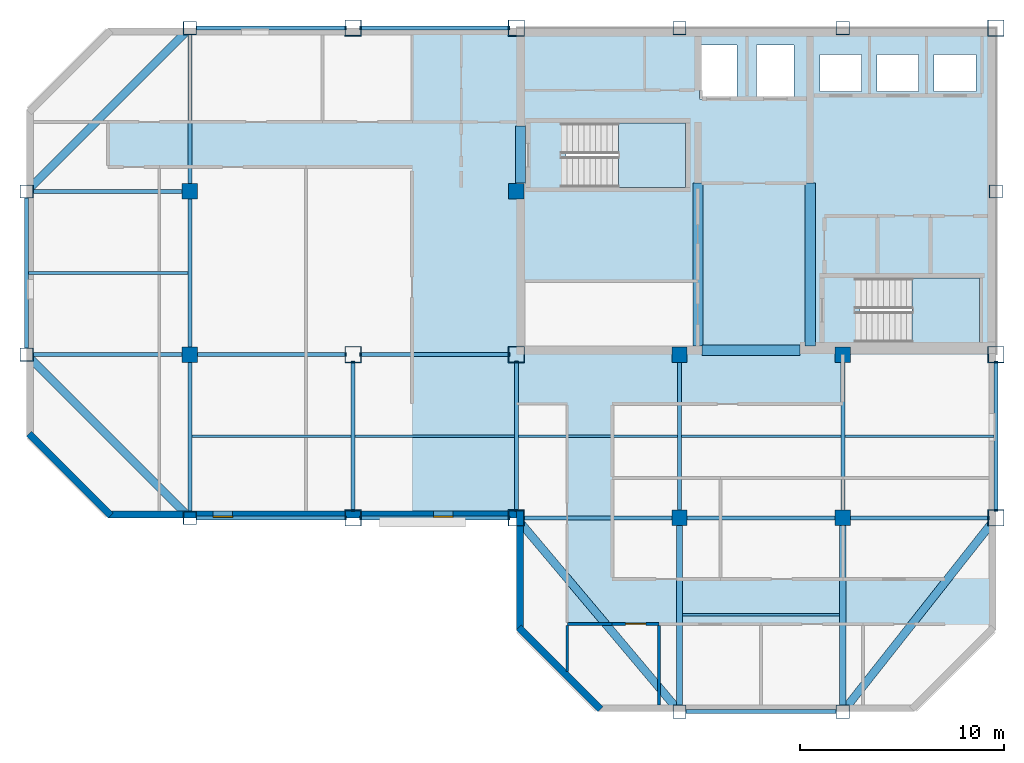
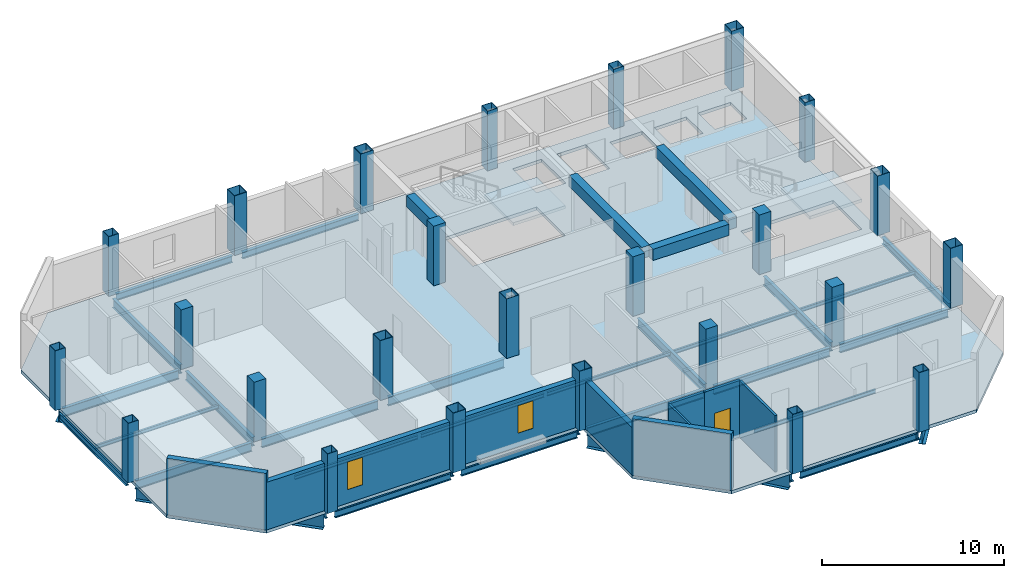
# One storey, part 1 of 7: 38 beams, 25 columns, 8 walls, 3 slabs, 2 windows, 1 door, 3 openings, 2 elements without a shape of their own.
"""IFC4 building model written with IfcOpenShell, lengths in metres."""

from ifc_helpers import new_model, si_unit, direction, frame, frame_2d, origin, origin_2d, place, context, subcontext, project, spatial, polyline, rectangle, hollow_rectangle, i_section, outline, extrude, material, layer, layer_set, material_profile, profile_set, type_object, element, fill, aggregate, save


model = new_model("IFC4")

# Units and contexts
model_context = context("Model", 3, precision=1e-05, world=origin(), true_north=direction((0.0, 1.0)))
body_context = subcontext(model_context, "Body", "Model", "MODEL_VIEW")
ifc_project = project(units=[si_unit("LENGTHUNIT", "METRE"), si_unit("AREAUNIT", "SQUARE_METRE"), si_unit("VOLUMEUNIT", "CUBIC_METRE"), si_unit("PLANEANGLEUNIT", "RADIAN"), si_unit("MASSUNIT", "GRAM", prefix="KILO")], contexts=[model_context])

# Site, building, storey
site_placement = place(None, origin())
site = spatial("IfcSite", under=ifc_project, at=site_placement, CompositionType="ELEMENT")
building_placement = place(site_placement, origin())
building = spatial("IfcBuilding", under=site, at=building_placement, Name="Qianrong Seaharbour Tower", CompositionType="ELEMENT")
storey_placement = place(building_placement, frame((0.0, 0.0, 355.199951171875)))
storey = spatial("IfcBuildingStorey", under=building, at=storey_placement, Name="L86", CompositionType="ELEMENT", Elevation=355.199951171875)

# Columns
ifc_material_1 = material(Name="Structural steel SN490B", Category="steel")
ifc_material_profile_1 = material_profile(ifc_material_1, hollow_rectangle(XDim=0.800048828125, YDim=0.800048828125, WallThickness=0.031982421875, at=origin_2d()), Name="BOX800x800x32")
ifc_profile_set_1 = profile_set([ifc_material_profile_1], Name="Structural steel SN490B")
column_type_1 = type_object("IfcColumnType", Name="COL-CFT-800", PredefinedType="COLUMN", material=ifc_profile_set_1)
for number, where, z_axis, x_axis, name in (
    (1, (32.5, 28.0, 0.0), (0.0, 0.0, 1.0), (1.0, 0.0, 0.0), "L86 Column MC-5 at G5/GE"),
    (2, (32.5, 36.0, 0.0), (0.0, 0.0, 1.0), (1.0, 0.0, 0.0), "L86 Column MC-5 at G5/GF"),
    (3, (32.5, 52.0, 0.0), (0.0, 0.0, 1.0), (1.0, 0.0, 0.0), "L86 Column MC-5 at G5/GH"),
    (4, (40.5, 28.0, 0.0), (0.0, 0.0, 1.0), (1.0, 0.0, 0.0), "L86 Column MC-5 at G6/GE"),
    (5, (40.5, 36.0, 0.0), (0.0, 0.0, 1.0), (1.0, 0.0, 0.0), "L86 Column MC-5 at G6/GF"),
    (6, (40.5, 52.0, 0.0), (0.0, 0.0, 1.0), (1.0, 0.0, 0.0), "L86 Column MC-5 at G6/GH"),
    (7, (64.0, 28.0, 0.0), (0.0, 0.0, 1.0), (1.0, 0.0, 0.0), "L86 Column MC-5 at G9/GE"),
    (8, (64.0, 36.0, 0.0), (0.0, 0.0, 1.0), (1.0, 0.0, 0.0), "L86 Column MC-5 at G9/GF"),
    (9, (64.0, 52.0, 0.0), (0.0, 0.0, 1.0), (1.0, 0.0, 0.0), "L86 Column MC-5 at G9/GH"),
):
    element("IfcColumn", number, at=place(storey_placement, frame(where, z_axis=z_axis, x_axis=x_axis)), inside=storey, type_object=column_type_1, Name=name, PredefinedType="COLUMN", context=body_context, shape_type="SweptSolid", body=[
        extrude(hollow_rectangle(XDim=0.800048828125, YDim=0.800048828125, WallThickness=0.031982421875, at=origin_2d()), origin(), (0.0, 0.0, 1.0), 4.0),
    ])
ifc_material_2 = material(Name="Concrete C50/60", Category="concrete")
ifc_material_profile_2 = material_profile(ifc_material_2, rectangle(XDim=0.75, YDim=0.75, at=origin_2d()), Name="RC750x750")
ifc_profile_set_2 = profile_set([ifc_material_profile_2], Name="Concrete C50/60")
column_type_2 = type_object("IfcColumnType", Name="COL-INT-RC750", PredefinedType="COLUMN", material=ifc_profile_set_2)
for number, where, z_axis, x_axis, name in (
    (10, (24.5, 36.0, 0.0), (0.0, 0.0, 1.0), (1.0, 0.0, 0.0), "L86 Column IC-4 at G4/GF"),
    (11, (24.5, 44.0, 0.0), (0.0, 0.0, 1.0), (1.0, 0.0, 0.0), "L86 Column IC-4 at G4/GG"),
    (12, (40.5, 44.0, 0.0), (0.0, 0.0, 1.0), (1.0, 0.0, 0.0), "L86 Column IC-4 at G6/GG"),
    (13, (48.5, 28.0, 0.0), (0.0, 0.0, 1.0), (1.0, 0.0, 0.0), "L86 Column IC-4 at G7/GE"),
    (14, (48.5, 36.0, 0.0), (0.0, 0.0, 1.0), (1.0, 0.0, 0.0), "L86 Column IC-4 at G7/GF"),
    (15, (56.5, 28.0, 0.0), (0.0, 0.0, 1.0), (1.0, 0.0, 0.0), "L86 Column IC-4 at G8/GE"),
    (16, (56.5, 36.0, 0.0), (0.0, 0.0, 1.0), (1.0, 0.0, 0.0), "L86 Column IC-4 at G8/GF"),
):
    element("IfcColumn", number, at=place(storey_placement, frame(where, z_axis=z_axis, x_axis=x_axis)), inside=storey, type_object=column_type_2, Name=name, PredefinedType="COLUMN", context=body_context, shape_type="SweptSolid", body=[
        extrude(rectangle(XDim=0.75, YDim=0.75, at=origin_2d()), origin(), (0.0, 0.0, 1.0), 4.0),
    ])
ifc_material_3 = material(Name="Structural steel SN400B", Category="steel")
ifc_material_profile_3 = material_profile(ifc_material_3, hollow_rectangle(XDim=0.64990234375, YDim=0.64990234375, WallThickness=0.028076171875, at=origin_2d()), Name="BOX650x650x28")
ifc_profile_set_3 = profile_set([ifc_material_profile_3], Name="Structural steel SN400B")
column_type_3 = type_object("IfcColumnType", Name="COL-PER-650", PredefinedType="COLUMN", material=ifc_profile_set_3)
for number, where, z_axis, x_axis, name in (
    (17, (16.5, 36.0, 0.0), (0.0, 0.0, 1.0), (1.0, 0.0, 0.0), "L86 Column PC-4 at G3/GF"),
    (18, (16.5, 44.0, 0.0), (0.0, 0.0, 1.0), (1.0, 0.0, 0.0), "L86 Column PC-4 at G3/GG"),
    (19, (24.5, 28.0, 0.0), (0.0, 0.0, 1.0), (1.0, 0.0, 0.0), "L86 Column PC-4 at G4/GE"),
    (20, (24.5, 52.0, 0.0), (0.0, 0.0, 1.0), (1.0, 0.0, 0.0), "L86 Column PC-4 at G4/GH"),
    (21, (48.5, 18.5, 0.0), (0.0, 0.0, 1.0), (1.0, 0.0, 0.0), "L86 Column PC-4 at G7/GD"),
    (22, (48.5, 52.0, 0.0), (0.0, 0.0, 1.0), (1.0, 0.0, 0.0), "L86 Column PC-4 at G7/GH"),
    (23, (56.5, 18.5, 0.0), (0.0, 0.0, 1.0), (1.0, 0.0, 0.0), "L86 Column PC-4 at G8/GD"),
    (24, (56.5, 52.0, 0.0), (0.0, 0.0, 1.0), (1.0, 0.0, 0.0), "L86 Column PC-4 at G8/GH"),
    (25, (64.0, 44.0, 0.0), (0.0, 0.0, 1.0), (1.0, 0.0, 0.0), "L86 Column PC-4 at G9/GG"),
):
    element("IfcColumn", number, at=place(storey_placement, frame(where, z_axis=z_axis, x_axis=x_axis)), inside=storey, type_object=column_type_3, Name=name, PredefinedType="COLUMN", context=body_context, shape_type="SweptSolid", body=[
        extrude(hollow_rectangle(XDim=0.64990234375, YDim=0.64990234375, WallThickness=0.028076171875, at=origin_2d()), origin(), (0.0, 0.0, 1.0), 4.0),
    ])

# Beams
ifc_material_profile_4 = material_profile(ifc_material_1, i_section(OverallWidth=0.199951171875, OverallDepth=0.60009765625, WebThickness=0.010986328125, FlangeThickness=0.01708984375, FilletRadius=0.02197265625, at=origin_2d()), Name="H600x200x11x17")
ifc_profile_set_4 = profile_set([ifc_material_profile_4], Name="Structural steel SN490B")
beam_type_1 = type_object("IfcBeamType", Name="BM-G-600", PredefinedType="BEAM", material=ifc_profile_set_4)
for number, where, z_axis, x_axis, name in (
    (26, (40.820068359375, 28.0, -0.514892578125), (1.0, 0.0, 0.0), (0.0, 1.0, 0.0), "L86 Primary Girder GE G6-G7"),
    (27, (48.820068359375, 28.0, -0.514892578125), (1.0, 0.0, 0.0), (0.0, 1.0, 0.0), "L86 Primary Girder GE G7-G8"),
):
    element("IfcBeam", number, at=place(storey_placement, frame(where, z_axis=z_axis, x_axis=x_axis)), inside=storey, type_object=beam_type_1, Name=name, PredefinedType="BEAM", context=body_context, shape_type="SweptSolid", body=[
        extrude(i_section(OverallWidth=0.199951171875, OverallDepth=0.60009765625, WebThickness=0.010986328125, FlangeThickness=0.01708984375, FilletRadius=0.02197265625, at=origin_2d()), origin(), (0.0, 0.0, 1.0), 7.35986328125),
    ])
beam_1_placement = place(storey_placement, frame((56.820068359375, 28.0, -0.514892578125), z_axis=(1.0, 0.0, 0.0), x_axis=(0.0, 1.0, 0.0)))
element("IfcBeam", 28, at=beam_1_placement, inside=storey, type_object=beam_type_1, Name="L86 Primary Girder GE G8-G9", PredefinedType="BEAM", context=body_context, shape_type="SweptSolid", body=[
    extrude(i_section(OverallWidth=0.199951171875, OverallDepth=0.60009765625, WebThickness=0.010986328125, FlangeThickness=0.01708984375, FilletRadius=0.02197265625, at=origin_2d()), origin(), (0.0, 0.0, 1.0), 6.85986328125),
])
for number, where, z_axis, x_axis, name in (
    (29, (16.820068359375, 36.0, -0.514892578125), (1.0, 0.0, 0.0), (0.0, 1.0, 0.0), "L86 Primary Girder GF G3-G4"),
    (30, (24.820068359375, 36.0, -0.514892578125), (1.0, 0.0, 0.0), (0.0, 1.0, 0.0), "L86 Primary Girder GF G4-G5"),
    (31, (32.820068359375, 36.0, -0.514892578125), (1.0, 0.0, 0.0), (0.0, 1.0, 0.0), "L86 Primary Girder GF G5-G6"),
    (32, (16.820068359375, 44.0, -0.514892578125), (1.0, 0.0, 0.0), (0.0, 1.0, 0.0), "L86 Primary Girder GG G3-G4"),
    (33, (24.5, 28.320068359375, -0.514892578125), (0.0, 1.0, 0.0), (-1.0, 0.0, 0.0), "L86 Primary Girder G4 GE-GF"),
    (34, (24.5, 36.320068359375, -0.514892578125), (0.0, 1.0, 0.0), (-1.0, 0.0, 0.0), "L86 Primary Girder G4 GF-GG"),
    (35, (24.5, 44.320068359375, -0.514892578125), (0.0, 1.0, 0.0), (-1.0, 0.0, 0.0), "L86 Primary Girder G4 GG-GH"),
    (36, (32.5, 28.320068359375, -0.514892578125), (0.0, 1.0, 0.0), (-1.0, 0.0, 0.0), "L86 Primary Girder G5 GE-GF"),
    (37, (40.5, 28.320068359375, -0.514892578125), (0.0, 1.0, 0.0), (-1.0, 0.0, 0.0), "L86 Primary Girder G6 GE-GF"),
    (38, (48.5, 28.320068359375, -0.514892578125), (0.0, 1.0, 0.0), (-1.0, 0.0, 0.0), "L86 Primary Girder G7 GE-GF"),
    (39, (56.5, 28.320068359375, -0.514892578125), (0.0, 1.0, 0.0), (-1.0, 0.0, 0.0), "L86 Primary Girder G8 GE-GF"),
):
    element("IfcBeam", number, at=place(storey_placement, frame(where, z_axis=z_axis, x_axis=x_axis)), inside=storey, type_object=beam_type_1, Name=name, PredefinedType="BEAM", context=body_context, shape_type="SweptSolid", body=[
        extrude(i_section(OverallWidth=0.199951171875, OverallDepth=0.60009765625, WebThickness=0.010986328125, FlangeThickness=0.01708984375, FilletRadius=0.02197265625, at=origin_2d()), origin(), (0.0, 0.0, 1.0), 7.35986328125),
    ])
ifc_material_profile_5 = material_profile(ifc_material_1, i_section(OverallWidth=0.300048828125, OverallDepth=0.800048828125, WebThickness=0.013916015625, FlangeThickness=0.02587890625, FilletRadius=0.028076171875, at=origin_2d()), Name="H800x300x14x26")
ifc_profile_set_5 = profile_set([ifc_material_profile_5], Name="Structural steel SN490B")
beam_type_2 = type_object("IfcBeamType", Name="BM-G-800", PredefinedType="BEAM", material=ifc_profile_set_5)
for number, where, z_axis, x_axis, name in (
    (40, (48.5, 18.820068359375, -0.614990234375), (0.0, 1.0, 0.0), (-1.0, 0.0, 0.0), "L86 Primary Girder G7 GD-GE"),
    (41, (56.5, 18.820068359375, -0.614990234375), (0.0, 1.0, 0.0), (-1.0, 0.0, 0.0), "L86 Primary Girder G8 GD-GE"),
):
    element("IfcBeam", number, at=place(storey_placement, frame(where, z_axis=z_axis, x_axis=x_axis)), inside=storey, type_object=beam_type_2, Name=name, PredefinedType="BEAM", context=body_context, shape_type="SweptSolid", body=[
        extrude(i_section(OverallWidth=0.300048828125, OverallDepth=0.800048828125, WebThickness=0.013916015625, FlangeThickness=0.02587890625, FilletRadius=0.028076171875, at=origin_2d()), origin(), (0.0, 0.0, 1.0), 8.85986328125),
    ])
ifc_material_profile_6 = material_profile(ifc_material_3, i_section(OverallWidth=0.125, OverallDepth=0.25, WebThickness=0.006103515625, FlangeThickness=0.009033203125, FilletRadius=0.011962890625, at=origin_2d()), Name="H250x125x6x9")
ifc_profile_set_6 = profile_set([ifc_material_profile_6], Name="Structural steel SN400B")
beam_type_3 = type_object("IfcBeamType", Name="BM-J-250", PredefinedType="JOIST", material=ifc_profile_set_6)
for number, where, z_axis, x_axis, name in (
    (42, (16.60009765625, 40.0, -0.33984375), (1.0, 0.0, 0.0), (0.0, 1.0, 0.0), "L86 Composite Floor Joist G3-G4/GF-GG"),
    (43, (24.60009765625, 32.0, -0.33984375), (1.0, 0.0, 0.0), (0.0, 1.0, 0.0), "L86 Composite Floor Joist G4-G5/GE-GF"),
    (44, (32.60009765625, 32.0, -0.33984375), (1.0, 0.0, 0.0), (0.0, 1.0, 0.0), "L86 Composite Floor Joist G5-G6/GE-GF"),
    (45, (40.60009765625, 32.0, -0.33984375), (1.0, 0.0, 0.0), (0.0, 1.0, 0.0), "L86 Composite Floor Joist G6-G7/GE-GF"),
):
    element("IfcBeam", number, at=place(storey_placement, frame(where, z_axis=z_axis, x_axis=x_axis)), inside=storey, type_object=beam_type_3, Name=name, PredefinedType="JOIST", context=body_context, shape_type="SweptSolid", body=[
        extrude(i_section(OverallWidth=0.125, OverallDepth=0.25, WebThickness=0.006103515625, FlangeThickness=0.009033203125, FilletRadius=0.011962890625, at=origin_2d()), origin(), (0.0, 0.0, 1.0), 7.7998046875),
    ])
beam_2_placement = place(storey_placement, frame((48.64990234375, 23.25, -0.33984375), z_axis=(1.0, 0.0, 0.0), x_axis=(0.0, 1.0, 0.0)))
element("IfcBeam", 46, at=beam_2_placement, inside=storey, type_object=beam_type_3, Name="L86 Composite Floor Joist G7-G8/GD-GE", PredefinedType="JOIST", context=body_context, shape_type="SweptSolid", body=[
    extrude(i_section(OverallWidth=0.125, OverallDepth=0.25, WebThickness=0.006103515625, FlangeThickness=0.009033203125, FilletRadius=0.011962890625, at=origin_2d()), origin(), (0.0, 0.0, 1.0), 7.7001953125),
])
beam_3_placement = place(storey_placement, frame((48.60009765625, 32.0, -0.33984375), z_axis=(1.0, 0.0, 0.0), x_axis=(0.0, 1.0, 0.0)))
element("IfcBeam", 47, at=beam_3_placement, inside=storey, type_object=beam_type_3, Name="L86 Composite Floor Joist G7-G8/GE-GF", PredefinedType="JOIST", context=body_context, shape_type="SweptSolid", body=[
    extrude(i_section(OverallWidth=0.125, OverallDepth=0.25, WebThickness=0.006103515625, FlangeThickness=0.009033203125, FilletRadius=0.011962890625, at=origin_2d()), origin(), (0.0, 0.0, 1.0), 7.7998046875),
])
beam_4_placement = place(storey_placement, frame((56.60009765625, 32.0, -0.33984375), z_axis=(1.0, 0.0, 0.0), x_axis=(0.0, 1.0, 0.0)))
element("IfcBeam", 48, at=beam_4_placement, inside=storey, type_object=beam_type_3, Name="L86 Composite Floor Joist G8-G9/GE-GF", PredefinedType="JOIST", context=body_context, shape_type="SweptSolid", body=[
    extrude(i_section(OverallWidth=0.125, OverallDepth=0.25, WebThickness=0.006103515625, FlangeThickness=0.009033203125, FilletRadius=0.011962890625, at=origin_2d()), origin(), (0.0, 0.0, 1.0), 7.2998046875),
])
ifc_material_4 = material(Name="Concrete C60/75", Category="concrete")
ifc_material_profile_7 = material_profile(ifc_material_4, rectangle(XDim=0.5, YDim=0.75, at=origin_2d()), Name="RC500x750")
ifc_profile_set_7 = profile_set([ifc_material_profile_7], Name="Concrete C60/75")
beam_type_4 = type_object("IfcBeamType", Name="BM-LINTEL-750", PredefinedType="LINTEL", material=ifc_profile_set_7)
beam_5_placement = place(storey_placement, frame((40.7099609375, 44.39990234375, 3.41015625), z_axis=(0.0, 1.0, 0.0), x_axis=(-1.0, 0.0, 0.0)))
element("IfcBeam", 49, at=beam_5_placement, inside=storey, type_object=beam_type_4, Name="L86 Core Coupling Lintel Beam West", PredefinedType="LINTEL", context=body_context, shape_type="SweptSolid", body=[
    extrude(rectangle(XDim=0.5, YDim=0.75, at=origin_2d()), origin(), (0.0, 0.0, 1.0), 2.800048828125),
])
beam_6_placement = place(storey_placement, frame((49.60009765625, 36.2099609375, 3.41015625), z_axis=(1.0, 0.0, 0.0), x_axis=(0.0, 1.0, 0.0)))
element("IfcBeam", 50, at=beam_6_placement, inside=storey, type_object=beam_type_4, Name="L86 Core Coupling Lintel Beam CBC", PredefinedType="LINTEL", context=body_context, shape_type="SweptSolid", body=[
    extrude(rectangle(XDim=0.5, YDim=0.75, at=origin_2d()), origin(), (0.0, 0.0, 1.0), 4.7998046875),
])
for number, where, z_axis, x_axis, name in (
    (51, (49.39990234375, 36.419921875, 3.41015625), (0.0, 1.0, 0.0), (-1.0, 0.0, 0.0), "L86 Internal Core Coupling Beam IW1"),
    (52, (54.89990234375, 36.419921875, 3.41015625), (0.0, 1.0, 0.0), (-1.0, 0.0, 0.0), "L86 Internal Core Coupling Beam IW2"),
):
    element("IfcBeam", number, at=place(storey_placement, frame(where, z_axis=z_axis, x_axis=x_axis)), inside=storey, type_object=beam_type_4, Name=name, PredefinedType="LINTEL", context=body_context, shape_type="SweptSolid", body=[
        extrude(rectangle(XDim=0.5, YDim=0.75, at=origin_2d()), origin(), (0.0, 0.0, 1.0), 7.97998046875),
    ])
ifc_material_profile_8 = material_profile(ifc_material_3, i_section(OverallWidth=0.199951171875, OverallDepth=0.449951171875, WebThickness=0.009033203125, FlangeThickness=0.013916015625, FilletRadius=0.01806640625, at=origin_2d()), Name="H450x200x9x14")
ifc_profile_set_8 = profile_set([ifc_material_profile_8], Name="Structural steel SN400B")
beam_type_5 = type_object("IfcBeamType", Name="BM-SP-450", PredefinedType="SPANDREL", material=ifc_profile_set_8)
for number, where, z_axis, x_axis, name in (
    (53, (48.820068359375, 18.5, -0.43994140625), (1.0, 0.0, 0.0), (0.0, 1.0, 0.0), "L86 Spandrel Girder GD G7-G8"),
    (54, (24.820068359375, 28.0, -0.43994140625), (1.0, 0.0, 0.0), (0.0, 1.0, 0.0), "L86 Spandrel Girder GE G4-G5"),
    (55, (32.820068359375, 28.0, -0.43994140625), (1.0, 0.0, 0.0), (0.0, 1.0, 0.0), "L86 Spandrel Girder GE G5-G6"),
    (56, (24.820068359375, 52.0, -0.43994140625), (1.0, 0.0, 0.0), (0.0, 1.0, 0.0), "L86 Spandrel Girder GH G4-G5"),
    (57, (32.820068359375, 52.0, -0.43994140625), (1.0, 0.0, 0.0), (0.0, 1.0, 0.0), "L86 Spandrel Girder GH G5-G6"),
    (58, (16.5, 36.320068359375, -0.43994140625), (0.0, 1.0, 0.0), (-1.0, 0.0, 0.0), "L86 Spandrel Girder G3 GF-GG"),
    (59, (64.0, 28.320068359375, -0.43994140625), (0.0, 1.0, 0.0), (-1.0, 0.0, 0.0), "L86 Spandrel Girder G9 GE-GF"),
):
    element("IfcBeam", number, at=place(storey_placement, frame(where, z_axis=z_axis, x_axis=x_axis)), inside=storey, type_object=beam_type_5, Name=name, PredefinedType="SPANDREL", context=body_context, shape_type="SweptSolid", body=[
        extrude(i_section(OverallWidth=0.199951171875, OverallDepth=0.449951171875, WebThickness=0.009033203125, FlangeThickness=0.013916015625, FilletRadius=0.01806640625, at=origin_2d()), origin(), (0.0, 0.0, 1.0), 7.35986328125),
    ])
ifc_material_profile_9 = material_profile(ifc_material_1, i_section(OverallWidth=0.39990234375, OverallDepth=1.10009765625, WebThickness=0.02001953125, FlangeThickness=0.035888671875, at=origin_2d()), Name="BH1100x400x20x36")
ifc_profile_set_9 = profile_set([ifc_material_profile_9], Name="Structural steel SN490B")
beam_type_6 = type_object("IfcBeamType", Name="BM-TG-1100", PredefinedType="BEAM", material=ifc_profile_set_9)
for number, where, z_axis, x_axis, name in (
    (60, (24.273681640625, 28.226318359375, -0.764892578125), (-0.707106781187, 0.707106781187, 0.0), (-0.707106781187, -0.707106781187, 0.0), "L86 Chamfer Corner Spandrel Girder G3/GE"),
    (61, (24.273681640625, 51.773681640625, -0.764892578125), (-0.707106781187, -0.707106781187, 0.0), (0.707106781187, -0.707106781187, 0.0), "L86 Chamfer Corner Spandrel Girder G3/GH"),
):
    element("IfcBeam", number, at=place(storey_placement, frame(where, z_axis=z_axis, x_axis=x_axis)), inside=storey, type_object=beam_type_6, Name=name, PredefinedType="BEAM", context=body_context, shape_type="SweptSolid", body=[
        extrude(i_section(OverallWidth=0.39990234375, OverallDepth=1.10009765625, WebThickness=0.02001953125, FlangeThickness=0.035888671875, at=origin_2d()), origin(), (0.0, 0.0, 1.0), 10.673583984375),
    ])
beam_7_placement = place(storey_placement, frame((48.2939453125, 18.744873046875, -0.764892578125), z_axis=(-0.644151063101, 0.764898299061, 0.0), x_axis=(-0.764898299061, -0.644151063101, 0.0)))
element("IfcBeam", 62, at=beam_7_placement, inside=storey, type_object=beam_type_6, Name="L86 Chamfer Corner Spandrel Girder G6/GD", PredefinedType="BEAM", context=body_context, shape_type="SweptSolid", body=[
    extrude(i_section(OverallWidth=0.39990234375, OverallDepth=1.10009765625, WebThickness=0.02001953125, FlangeThickness=0.035888671875, at=origin_2d()), origin(), (0.0, 0.0, 1.0), 11.77978515625),
])
beam_8_placement = place(storey_placement, frame((56.6982421875, 18.751220703125, -0.764892578125), z_axis=(0.619653955715, 0.784875133487, 0.0), x_axis=(-0.784875133487, 0.619653955715, 0.0)))
element("IfcBeam", 63, at=beam_8_placement, inside=storey, type_object=beam_type_6, Name="L86 Chamfer Corner Spandrel Girder G9/GD", PredefinedType="BEAM", context=body_context, shape_type="SweptSolid", body=[
    extrude(i_section(OverallWidth=0.39990234375, OverallDepth=1.10009765625, WebThickness=0.02001953125, FlangeThickness=0.035888671875, at=origin_2d()), origin(), (0.0, 0.0, 1.0), 11.463623046875),
])

# Stair, slab
stair_type = type_object("IfcStairType", Name="STAIR-DOGLEG-1500-R22", PredefinedType="HALF_TURN_STAIR", material=ifc_material_2)
stair_1_placement = place(storey_placement, origin())
stair_1 = element("IfcStair", 64, at=stair_1_placement, inside=storey, type_object=stair_type, Name="L86 Protected Escape Stair ST-1", PredefinedType="HALF_TURN_STAIR")
ifc_layer_1 = layer(ifc_material_2, 0.199951171875)
ifc_layer_set_1 = layer_set([ifc_layer_1], Name="Concrete C50/60")
slab_type_1 = type_object("IfcSlabType", Name="SLAB-STAIR-LANDING-200", PredefinedType="LANDING", material=ifc_layer_set_1)
slab_1_placement = place(storey_placement, frame((0.0, 0.0, 1.800048828125)))
slab_1 = element("IfcSlab", 65, at=slab_1_placement, type_object=slab_type_1, Name="ST-1 landing 1", PredefinedType="LANDING", context=body_context, shape_type="SweptSolid", body=[
    extrude(outline(polyline([(45.5, 44.199951171875), (48.800048828125, 44.199951171875), (48.800048828125, 47.35009765625), (45.5, 47.35009765625), (45.5, 44.199951171875)])), origin(), (0.0, 0.0, 1.0), 0.199951171875),
])
aggregate(stair_1, [slab_1])

stair_2_placement = place(storey_placement, origin())
stair_2 = element("IfcStair", 66, at=stair_2_placement, inside=storey, type_object=stair_type, Name="L86 Protected Escape Stair ST-2", PredefinedType="HALF_TURN_STAIR")
slab_2_placement = place(storey_placement, frame((0.0, 0.0, 1.800048828125)))
slab_2 = element("IfcSlab", 67, at=slab_2_placement, type_object=slab_type_1, Name="ST-2 landing 1", PredefinedType="LANDING", context=body_context, shape_type="SweptSolid", body=[
    extrude(outline(polyline([(59.89990234375, 36.60009765625), (63.199951171875, 36.60009765625), (63.199951171875, 39.75), (59.89990234375, 39.75), (59.89990234375, 36.60009765625)])), origin(), (0.0, 0.0, 1.0), 0.199951171875),
])
aggregate(stair_2, [slab_2])

# Slab
ifc_layer_2 = layer(ifc_material_2, 0.215087890625)
ifc_layer_set_2 = layer_set([ifc_layer_2], Name="Concrete C50/60")
slab_type_2 = type_object("IfcSlabType", Name="SLAB-Z4-215", PredefinedType="FLOOR", material=ifc_layer_set_2)
slab_3_placement = place(storey_placement, frame((0.0, 0.0, -0.21484375)))
element("IfcSlab", 68, at=slab_3_placement, inside=storey, type_object=slab_type_2, Name="L86 Structural Floor Slab", PredefinedType="FLOOR", context=body_context, shape_type="SweptSolid", body=[
    extrude(outline(polyline([(44.5, 18.5), (60.0, 18.5), (64.0, 22.5), (64.0, 52.0), (20.5, 52.0), (16.5, 48.0), (16.5, 32.0), (20.5, 28.0), (40.5, 28.0), (40.5, 22.5), (44.5, 18.5)]), holes=[polyline([(42.93994140625, 44.199951171875), (42.93994140625, 47.35009765625), (48.800048828125, 47.35009765625), (48.800048828125, 44.199951171875), (42.93994140625, 44.199951171875)]), polyline([(57.340087890625, 36.60009765625), (57.340087890625, 39.75), (63.199951171875, 39.75), (63.199951171875, 36.60009765625), (57.340087890625, 36.60009765625)]), polyline([(49.47998046875, 48.530029296875), (49.47998046875, 51.169921875), (51.320068359375, 51.169921875), (51.320068359375, 48.530029296875), (49.47998046875, 48.530029296875)]), polyline([(52.280029296875, 48.530029296875), (52.280029296875, 51.169921875), (54.1201171875, 51.169921875), (54.1201171875, 48.530029296875), (52.280029296875, 48.530029296875)]), polyline([(55.3798828125, 48.89990234375), (55.3798828125, 50.699951171875), (57.419921875, 50.699951171875), (57.419921875, 48.89990234375), (55.3798828125, 48.89990234375)]), polyline([(58.179931640625, 48.89990234375), (58.179931640625, 50.699951171875), (60.219970703125, 50.699951171875), (60.219970703125, 48.89990234375), (58.179931640625, 48.89990234375)]), polyline([(60.97998046875, 48.89990234375), (60.97998046875, 50.699951171875), (63.02001953125, 50.699951171875), (63.02001953125, 48.89990234375), (60.97998046875, 48.89990234375)])]), origin(), (0.0, 0.0, 1.0), 0.21484375),
])

# Wall
ifc_material_5 = material(Name="Fire-rated acoustic gypsum board partition")
ifc_layer_3 = layer(ifc_material_5, 0.1650390625)
ifc_layer_set_3 = layer_set([ifc_layer_3], Name="Fire-rated acoustic gypsum board partition")
wall_type_1 = type_object("IfcWallType", Name="WALL-CORR-PART-165", PredefinedType="PARTITIONING", material=ifc_layer_set_3)
wall_1_placement = place(storey_placement, frame((45.199951171875, 22.800048828125, 0.0), z_axis=(0.0, 0.0, 1.0), x_axis=(-1.0, 0.0, 0.0)))
element("IfcWall", 69, at=wall_1_placement, inside=storey, type_object=wall_type_1, Name="L86 Interior Partition Wall 034", PredefinedType="PARTITIONING", context=body_context, shape_type="SweptSolid", body=[
    extrude(rectangle(XDim=2.199951171875, YDim=0.1650390625, at=frame_2d((1.10009765625, 0.0))), origin(), (0.0, 0.0, 1.0), 3.78515625),
])

# Wall, opening, door
wall_2_placement = place(storey_placement, frame((47.5, 22.800048828125, 0.0), z_axis=(0.0, 0.0, 1.0), x_axis=(-1.0, 0.0, 0.0)))
wall_2 = element("IfcWall", 70, at=wall_2_placement, inside=storey, type_object=wall_type_1, Name="L86 Interior Partition Wall 038", PredefinedType="PARTITIONING", context=body_context, shape_type="SweptSolid", body=[
    extrude(rectangle(XDim=2.300048828125, YDim=0.1650390625, at=frame_2d((1.14990234375, 0.0))), origin(), (0.0, 0.0, 1.0), 3.78515625),
])
opening_1_placement = place(wall_2_placement, frame((0.64990234375, 0.0, 0.0)))
opening_1 = element("IfcOpeningElement", 71, at=opening_1_placement, cuts=wall_2, Name="Opening DO-01", PredefinedType="OPENING", context=body_context, shape_type="SweptSolid", body=[
    extrude(rectangle(XDim=1.0, YDim=2.14990234375, at=frame_2d((0.5, 1.074951171875))), frame((0.0, 0.092529296875, 0.0), z_axis=(0.0, -1.0, 0.0), x_axis=(1.0, 0.0, 0.0)), (0.0, 0.0, 1.0), 0.18505859375),
])
ifc_material_6 = material(Name="Acoustic timber and galvanized steel fire door assembly", Category="steel")
door_type = type_object("IfcDoorType", Name="DOOR-OFFICE-1000x2150", OperationType="NOTDEFINED", PredefinedType="DOOR", material=ifc_material_6)
door_placement = place(opening_1_placement, origin())
door = element("IfcDoor", 72, at=door_placement, inside=storey, type_object=door_type, Name="L86 Harbour Trade Lounge 1 Door", OperationType="SINGLE_SWING_LEFT", OverallHeight=2.14990234375, OverallWidth=1.0, PredefinedType="DOOR", context=body_context, shape_type="SweptSolid", body=[
    extrude(rectangle(XDim=1.0, YDim=2.14990234375, at=frame_2d((0.5, 1.074951171875))), frame((0.0, 0.02490234375, 0.0), z_axis=(0.0, -1.0, 0.0), x_axis=(1.0, 0.0, 0.0)), (0.0, 0.0, 1.0), 0.050048828125),
])
fill(opening_1, door)

# Wall
ifc_material_7 = material(Name="Unitised buff brick on Precast concrete C45/55", Category="masonry")
ifc_layer_4 = layer(ifc_material_7, 0.340087890625)
ifc_layer_set_4 = layer_set([ifc_layer_4], Name="Unitised buff brick on Precast concrete C45/55")
wall_type_2 = type_object("IfcWallType", Name="WALL-EXT-BRICK-BUFF-340", PredefinedType="SOLIDWALL", material=ifc_layer_set_4)
wall_3_placement = place(storey_placement, frame((40.669921875, 22.5, 0.0), z_axis=(0.0, 0.0, 1.0), x_axis=(0.0, 1.0, 0.0)))
element("IfcWall", 73, at=wall_3_placement, inside=storey, type_object=wall_type_2, Name="L86 Exterior Masonry Facade Wall REENTRANT_WEST", PredefinedType="SOLIDWALL", context=body_context, shape_type="SweptSolid", body=[
    extrude(rectangle(XDim=5.840087890625, YDim=0.340087890625, at=frame_2d((2.919921875, 0.0))), origin(), (0.0, 0.0, 1.0), 3.18505859375),
])

# Wall, openings, windows
wall_4_placement = place(storey_placement, frame((40.52001953125, 28.169921875, 0.0), z_axis=(0.0, 0.0, 1.0), x_axis=(-1.0, 0.0, 0.0)))
wall_4 = element("IfcWall", 74, at=wall_4_placement, inside=storey, type_object=wall_type_2, Name="L86 Exterior Masonry Facade Wall HARBOUR_RIBBON", PredefinedType="SOLIDWALL", context=body_context, shape_type="SweptSolid", body=[
    extrude(rectangle(XDim=20.02001953125, YDim=0.340087890625, at=frame_2d((10.010009765625, 0.0))), origin(), (0.0, 0.0, 1.0), 3.18505859375),
])
opening_2_placement = place(wall_4_placement, frame((3.125, 0.0, 0.89990234375)))
opening_2 = element("IfcOpeningElement", 75, at=opening_2_placement, cuts=wall_4, Name="Opening WN-13", PredefinedType="OPENING", context=body_context, shape_type="SweptSolid", body=[
    extrude(rectangle(XDim=0.949951171875, YDim=1.85009765625, at=frame_2d((0.47509765625, 0.925048828125))), frame((0.0, 0.18017578125, 0.0), z_axis=(0.0, -1.0, 0.0), x_axis=(1.0, 0.0, 0.0)), (0.0, 0.0, 1.0), 0.360107421875),
])
opening_3_placement = place(wall_4_placement, frame((13.925048828125, 0.0, 0.89990234375)))
opening_3 = element("IfcOpeningElement", 76, at=opening_3_placement, cuts=wall_4, Name="Opening WN-13", PredefinedType="OPENING", context=body_context, shape_type="SweptSolid", body=[
    extrude(rectangle(XDim=0.949951171875, YDim=1.85009765625, at=frame_2d((0.47509765625, 0.925048828125))), frame((0.0, 0.18017578125, 0.0), z_axis=(0.0, -1.0, 0.0), x_axis=(1.0, 0.0, 0.0)), (0.0, 0.0, 1.0), 0.360107421875),
])
ifc_material_8 = material(Name="Insulated low-e double glazing in thermally broken aluminium 6063-T6 frame", Category="aluminium")
window_type = type_object("IfcWindowType", Name="WIN-NARROW-950x1850", PartitioningType="SINGLE_PANEL", PredefinedType="WINDOW", material=ifc_material_8)
window_1_placement = place(opening_2_placement, origin())
window_1 = element("IfcWindow", 77, at=window_1_placement, inside=storey, type_object=window_type, Name="L86 Deep-Set Punched Window 01.01", OverallHeight=1.85009765625, OverallWidth=0.949951171875, PartitioningType="SINGLE_PANEL", PredefinedType="WINDOW", context=body_context, shape_type="SweptSolid", body=[
    extrude(rectangle(XDim=0.949951171875, YDim=1.85009765625, at=frame_2d((0.47509765625, 0.925048828125))), frame((0.0, 0.150146484375, 0.0), z_axis=(0.0, -1.0, 0.0), x_axis=(1.0, 0.0, 0.0)), (0.0, 0.0, 1.0), 0.06005859375),
])
fill(opening_2, window_1)
window_2_placement = place(opening_3_placement, origin())
window_2 = element("IfcWindow", 78, at=window_2_placement, inside=storey, type_object=window_type, Name="L86 Deep-Set Punched Window 01.04", OverallHeight=1.85009765625, OverallWidth=0.949951171875, PartitioningType="SINGLE_PANEL", PredefinedType="WINDOW", context=body_context, shape_type="SweptSolid", body=[
    extrude(rectangle(XDim=0.949951171875, YDim=1.85009765625, at=frame_2d((0.47509765625, 0.925048828125))), frame((0.0, 0.150146484375, 0.0), z_axis=(0.0, -1.0, 0.0), x_axis=(1.0, 0.0, 0.0)), (0.0, 0.0, 1.0), 0.06005859375),
])
fill(opening_3, window_2)

# Walls
for number, where, z_axis, x_axis, name in (
    (79, (20.6201171875, 28.1201171875, 0.0), (0.0, 0.0, 1.0), (-0.707106781187, 0.707106781187, 0.0), "L86 Exterior Masonry Facade Wall E02"),
    (80, (44.6201171875, 18.6201171875, 0.0), (0.0, 0.0, 1.0), (-0.707106781187, 0.707106781187, 0.0), "L86 Exterior Masonry Facade Wall E09"),
):
    element("IfcWall", number, at=place(storey_placement, frame(where, z_axis=z_axis, x_axis=x_axis)), inside=storey, type_object=wall_type_2, Name=name, PredefinedType="SOLIDWALL", context=body_context, shape_type="SweptSolid", body=[
        extrude(rectangle(XDim=5.65673828125, YDim=0.340087890625, at=frame_2d((2.828369140625, 0.0))), origin(), (0.0, 0.0, 1.0), 3.78515625),
    ])
ifc_material_9 = material(Name="Acoustic gypsum board stud partition")
ifc_layer_5 = layer(ifc_material_9, 0.14501953125)
ifc_layer_set_5 = layer_set([ifc_layer_5], Name="Acoustic gypsum board stud partition")
wall_type_3 = type_object("IfcWallType", Name="WALL-OFFICE-PART-145", PredefinedType="PARTITIONING", material=ifc_layer_set_5)
wall_5_placement = place(storey_placement, frame((47.5, 22.7255859375, 0.0), z_axis=(0.0, 0.0, 1.0), x_axis=(0.0, -1.0, 0.0)))
element("IfcWall", 81, at=wall_5_placement, inside=storey, type_object=wall_type_3, Name="L86 Interior Partition Wall 053", PredefinedType="PARTITIONING", context=body_context, shape_type="SweptSolid", body=[
    extrude(rectangle(XDim=3.8935546875, YDim=0.14501953125, at=frame_2d((1.94677734375, 0.0))), origin(), (0.0, 0.0, 1.0), 3.78515625),
])
ifc_material_10 = material(Name="Water-resistant cement board sanitary partition")
ifc_layer_6 = layer(ifc_material_10, 0.1298828125)
ifc_layer_set_6 = layer_set([ifc_layer_6], Name="Water-resistant cement board sanitary partition")
wall_type_4 = type_object("IfcWallType", Name="WALL-WET-PART-130", PredefinedType="PARTITIONING", material=ifc_layer_set_6)
wall_6_placement = place(storey_placement, frame((43.0, 22.7255859375, 0.0), z_axis=(0.0, 0.0, 1.0), x_axis=(0.0, -1.0, 0.0)))
element("IfcWall", 82, at=wall_6_placement, inside=storey, type_object=wall_type_4, Name="L86 Interior Partition Wall 052", PredefinedType="PARTITIONING", context=body_context, shape_type="SweptSolid", body=[
    extrude(rectangle(XDim=2.256103515625, YDim=0.1298828125, at=frame_2d((1.1279296875, 0.0))), origin(), (0.0, 0.0, 1.0), 3.78515625),
])

save(model, "model.ifc")
